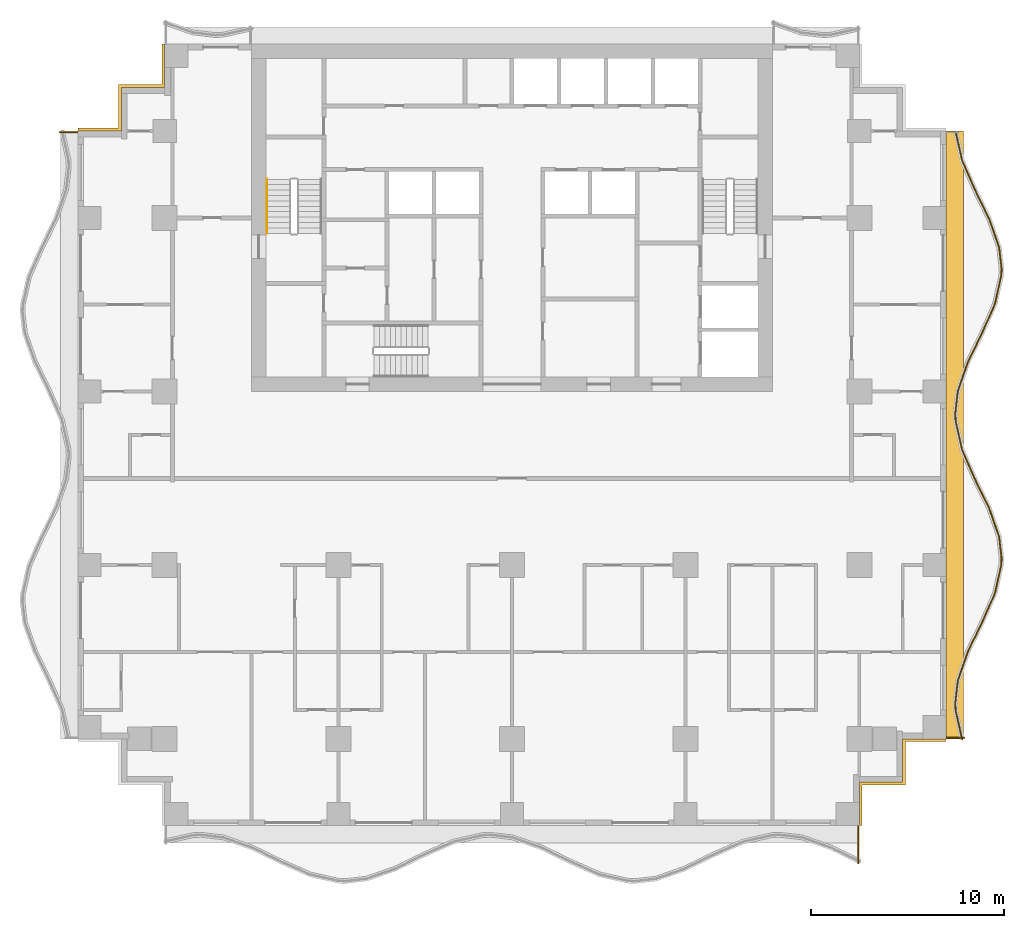
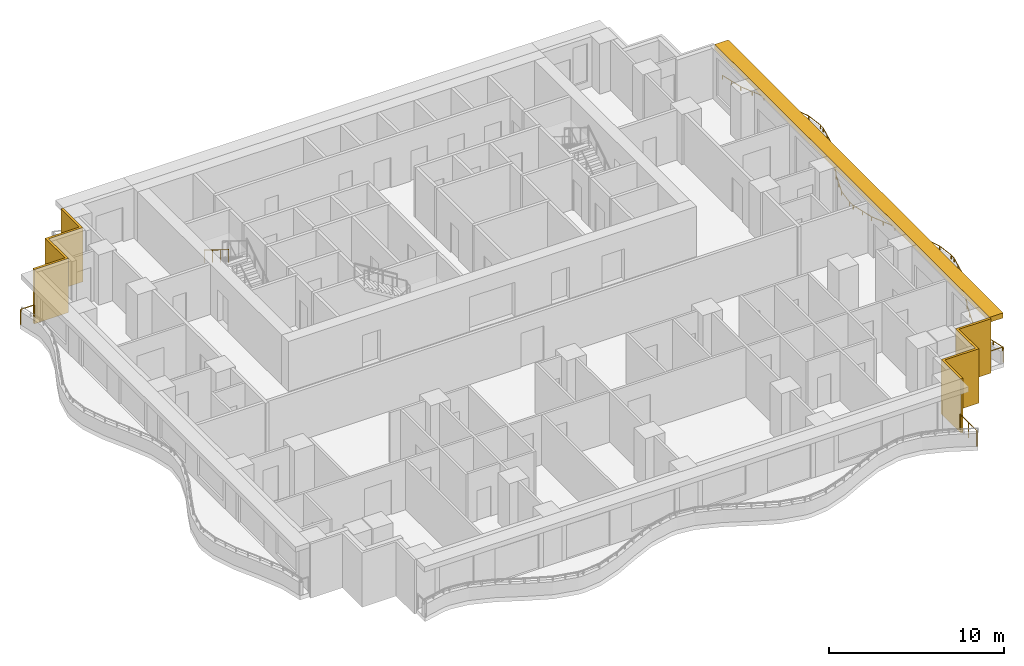
# One storey, part 9 of 10: 5 railings, 3 shading devices.
"""IFC4 building model written with IfcOpenShell, lengths in metres."""

from ifc_helpers import new_model, si_unit, direction, frame, origin, origin_2d, place, context, subcontext, project, spatial, polyline, rectangle, circle, outline, extrude, material, layer, layer_set, type_object, element, save


model = new_model("IFC4")

# Units and contexts
model_context = context("Model", 3, precision=1e-05, world=origin(), true_north=direction((0.0, 1.0)))
body_context = subcontext(model_context, "Body", "Model", "MODEL_VIEW")
ifc_project = project(units=[si_unit("LENGTHUNIT", "METRE"), si_unit("AREAUNIT", "SQUARE_METRE"), si_unit("VOLUMEUNIT", "CUBIC_METRE"), si_unit("PLANEANGLEUNIT", "RADIAN"), si_unit("MASSUNIT", "GRAM", prefix="KILO")], contexts=[model_context])

# Site, building, storey
site_placement = place(None, origin())
site = spatial("IfcSite", under=ifc_project, at=site_placement, CompositionType="ELEMENT")
building_placement = place(site_placement, origin())
building = spatial("IfcBuilding", under=site, at=building_placement, Name="Orbiselva Terraces", CompositionType="ELEMENT")
storey_placement = place(building_placement, frame((0.0, 0.0, 132.6)))
storey = spatial("IfcBuildingStorey", under=building, at=storey_placement, Name="L33", CompositionType="ELEMENT", Elevation=132.6)

# Railings
ifc_material_1 = material(Name="Stainless steel", Category="steel")
railing_type_1 = type_object("IfcRailingType", Name="CORE-HANDRAIL-900", PredefinedType="HANDRAIL", material=ifc_material_1)
railing_1_placement = place(storey_placement, frame((-12.7, 15.5, 2.072727)))
element("IfcRailing", 1, at=railing_1_placement, inside=storey, type_object=railing_type_1, Name="L33 S1 stair handrail 2", PredefinedType="HANDRAIL", context=body_context, shape_type="SweptSolid", body=[
    extrude(circle(Radius=0.024, at=origin_2d()), frame((0.0, 0.0, 0.876), z_axis=(0.0, -0.851088519012, 0.52502222125), x_axis=(1.0, 0.0, 0.0)), (0.0, 0.0, 1.0), 3.289905),
    extrude(circle(Radius=0.021, at=origin_2d()), origin(), (0.0, 0.0, 1.0), 0.852),
    extrude(circle(Radius=0.021, at=origin_2d()), frame((0.0, -0.933333, 0.575758)), (0.0, 0.0, 1.0), 0.852),
    extrude(circle(Radius=0.021, at=origin_2d()), frame((0.0, -1.866667, 1.151515)), (0.0, 0.0, 1.0), 0.852),
    extrude(circle(Radius=0.021, at=origin_2d()), frame((0.0, -2.8, 1.727273)), (0.0, 0.0, 1.0), 0.852),
])
ifc_material_2 = material(Name="Bonded two-ply safety glass balustrade, stainless steel posts", Category="steel")
railing_type_2 = type_object("IfcRailingType", Name="ENV-BALUSTRADE-1200", PredefinedType="BALUSTRADE", material=ifc_material_2)
railing_2_placement = place(storey_placement, frame((23.329507, -13.527377, 0.9)))
element("IfcRailing", 2, at=railing_2_placement, inside=storey, type_object=railing_type_2, Name="Balcony balustrade L33 E", PredefinedType="BALUSTRADE", context=body_context, shape_type="SweptSolid", body=[
    extrude(outline(polyline([(0.028868, 0.0), (0.014434, 0.025), (-0.014434, 0.025), (-0.028868, 0.0), (-0.014434, -0.025), (0.014434, -0.025), (0.028868, 0.0)])), frame((0.0, 0.0, 0.275), z_axis=(-0.219015484484, 0.97572138316, 0.0), x_axis=(-0.97572138316, -0.219015484484, 0.0)), (0.0, 0.0, 1.0), 1.548694),
    extrude(outline(polyline([(0.028868, 0.0), (0.014434, 0.025), (-0.014434, 0.025), (-0.028868, 0.0), (-0.014434, -0.025), (0.014434, -0.025), (0.028868, 0.0)])), frame((-0.339188, 1.511094, 0.275), z_axis=(-0.03936915532, 0.999224734286, 0.0), x_axis=(-0.999224734286, -0.03936915532, 0.0)), (0.0, 0.0, 1.0), 0.396376),
    extrude(outline(polyline([(0.028868, 0.0), (0.014434, 0.025), (-0.014434, 0.025), (-0.028868, 0.0), (-0.014434, -0.025), (0.014434, -0.025), (0.028868, 0.0)])), frame((-0.354793, 1.907163, 0.275), z_axis=(0.115482182324, 0.993309551734, 0.0), x_axis=(-0.993309551734, 0.115482182324, 0.0)), (0.0, 0.0, 1.0), 1.156135),
    extrude(outline(polyline([(0.028868, 0.0), (0.014434, 0.025), (-0.014434, 0.025), (-0.028868, 0.0), (-0.014434, -0.025), (0.014434, -0.025), (0.028868, 0.0)])), frame((-0.22128, 3.055563, 0.275), z_axis=(0.330024597479, 0.943972332783, 0.0), x_axis=(-0.943972332783, 0.330024597479, 0.0)), (0.0, 0.0, 1.0), 1.610253),
    extrude(outline(polyline([(0.028868, 0.0), (0.014434, 0.025), (-0.014434, 0.025), (-0.028868, 0.0), (-0.014434, -0.025), (0.014434, -0.025), (0.028868, 0.0)])), frame((0.310143, 4.575597, 0.275), z_axis=(0.438812048596, 0.898578870221, 0.0), x_axis=(-0.898578870221, 0.438812048596, 0.0)), (0.0, 0.0, 1.0), 1.674225),
    extrude(outline(polyline([(0.028868, 0.0), (0.014434, 0.025), (-0.014434, 0.025), (-0.028868, 0.0), (-0.014434, -0.025), (0.014434, -0.025), (0.028868, 0.0)])), frame((1.044813, 6.08002, 0.275), z_axis=(0.403151245402, 0.915133363686, 0.0), x_axis=(-0.915133363686, 0.403151245402, 0.0)), (0.0, 0.0, 1.0), 1.624475),
    extrude(outline(polyline([(0.028868, 0.0), (0.014434, 0.025), (-0.014434, 0.025), (-0.028868, 0.0), (-0.014434, -0.025), (0.014434, -0.025), (0.028868, 0.0)])), frame((1.699722, 7.566631, 0.275), z_axis=(0.219015740235, 0.975721325753, 0.0), x_axis=(-0.975721325753, 0.219015740235, 0.0)), (0.0, 0.0, 1.0), 1.513782),
    extrude(outline(polyline([(0.028868, 0.0), (0.014434, 0.025), (-0.014434, 0.025), (-0.028868, 0.0), (-0.014434, -0.025), (0.014434, -0.025), (0.028868, 0.0)])), frame((2.031264, 9.04366, 0.275), z_axis=(0.039364150694, 0.999224931454, 0.0), x_axis=(-0.999224931454, 0.039364150694, 0.0)), (0.0, 0.0, 1.0), 0.354206),
    extrude(outline(polyline([(0.028868, 0.0), (0.014434, 0.025), (-0.014434, 0.025), (-0.028868, 0.0), (-0.014434, -0.025), (0.014434, -0.025), (0.028868, 0.0)])), frame((2.045207, 9.397591, 0.275), z_axis=(-0.115481264762, 0.993309658409, 0.0), x_axis=(-0.993309658409, -0.115481264762, 0.0)), (0.0, 0.0, 1.0), 1.10902),
    extrude(outline(polyline([(0.028868, 0.0), (0.014434, 0.025), (-0.014434, 0.025), (-0.028868, 0.0), (-0.014434, -0.025), (0.014434, -0.025), (0.028868, 0.0)])), frame((1.917136, 10.499191, 0.275), z_axis=(-0.330024754707, 0.943972277814, 0.0), x_axis=(-0.943972277814, -0.330024754707, 0.0)), (0.0, 0.0, 1.0), 1.567807),
    extrude(outline(polyline([(0.028868, 0.0), (0.014434, 0.025), (-0.014434, 0.025), (-0.028868, 0.0), (-0.014434, -0.025), (0.014434, -0.025), (0.028868, 0.0)])), frame((1.399721, 11.979157, 0.275), z_axis=(-0.438811978768, 0.89857890432, 0.0), x_axis=(-0.89857890432, -0.438811978768, 0.0)), (0.0, 0.0, 1.0), 1.66438),
    extrude(outline(polyline([(0.028868, 0.0), (0.014434, 0.025), (-0.014434, 0.025), (-0.028868, 0.0), (-0.014434, -0.025), (0.014434, -0.025), (0.028868, 0.0)])), frame((0.669371, 13.474734, 0.275), z_axis=(-0.403150874148, 0.915133527237, 0.0), x_axis=(-0.915133527237, -0.403150874148, 0.0)), (0.0, 0.0, 1.0), 1.653736),
    extrude(outline(polyline([(0.028868, 0.0), (0.014434, 0.025), (-0.014434, 0.025), (-0.028868, 0.0), (-0.014434, -0.025), (0.014434, -0.025), (0.028868, 0.0)])), frame((0.002666, 14.988123, 0.275), z_axis=(-0.219015500924, 0.97572137947, 0.0), x_axis=(-0.97572137947, -0.219015500924, 0.0)), (0.0, 0.0, 1.0), 1.560867),
    extrude(outline(polyline([(0.028868, 0.0), (0.014434, 0.025), (-0.014434, 0.025), (-0.028868, 0.0), (-0.014434, -0.025), (0.014434, -0.025), (0.028868, 0.0)])), frame((-0.339188, 16.511094, 0.275), z_axis=(-0.03936915532, 0.999224734286, 0.0), x_axis=(-0.999224734286, -0.03936915532, 0.0)), (0.0, 0.0, 1.0), 0.396376),
    extrude(outline(polyline([(0.028868, 0.0), (0.014434, 0.025), (-0.014434, 0.025), (-0.028868, 0.0), (-0.014434, -0.025), (0.014434, -0.025), (0.028868, 0.0)])), frame((-0.354793, 16.907163, 0.275), z_axis=(0.115482182324, 0.993309551734, 0.0), x_axis=(-0.993309551734, 0.115482182324, 0.0)), (0.0, 0.0, 1.0), 1.156135),
    extrude(outline(polyline([(0.028868, 0.0), (0.014434, 0.025), (-0.014434, 0.025), (-0.028868, 0.0), (-0.014434, -0.025), (0.014434, -0.025), (0.028868, 0.0)])), frame((-0.22128, 18.055563, 0.275), z_axis=(0.330024597479, 0.943972332783, 0.0), x_axis=(-0.943972332783, 0.330024597479, 0.0)), (0.0, 0.0, 1.0), 1.610253),
    extrude(outline(polyline([(0.028868, 0.0), (0.014434, 0.025), (-0.014434, 0.025), (-0.028868, 0.0), (-0.014434, -0.025), (0.014434, -0.025), (0.028868, 0.0)])), frame((0.310143, 19.575597, 0.275), z_axis=(0.438812048596, 0.898578870221, 0.0), x_axis=(-0.898578870221, 0.438812048596, 0.0)), (0.0, 0.0, 1.0), 1.674225),
    extrude(outline(polyline([(0.028868, 0.0), (0.014434, 0.025), (-0.014434, 0.025), (-0.028868, 0.0), (-0.014434, -0.025), (0.014434, -0.025), (0.028868, 0.0)])), frame((1.044813, 21.08002, 0.275), z_axis=(0.403151245402, 0.915133363686, 0.0), x_axis=(-0.915133363686, 0.403151245402, 0.0)), (0.0, 0.0, 1.0), 1.624475),
    extrude(outline(polyline([(0.028868, 0.0), (0.014434, 0.025), (-0.014434, 0.025), (-0.028868, 0.0), (-0.014434, -0.025), (0.014434, -0.025), (0.028868, 0.0)])), frame((1.699722, 22.566631, 0.275), z_axis=(0.219015740235, 0.975721325753, 0.0), x_axis=(-0.975721325753, 0.219015740235, 0.0)), (0.0, 0.0, 1.0), 1.513782),
    extrude(outline(polyline([(0.028868, 0.0), (0.014434, 0.025), (-0.014434, 0.025), (-0.028868, 0.0), (-0.014434, -0.025), (0.014434, -0.025), (0.028868, 0.0)])), frame((2.031264, 24.04366, 0.275), z_axis=(0.039364150694, 0.999224931454, 0.0), x_axis=(-0.999224931454, 0.039364150694, 0.0)), (0.0, 0.0, 1.0), 0.354206),
    extrude(outline(polyline([(0.028868, 0.0), (0.014434, 0.025), (-0.014434, 0.025), (-0.028868, 0.0), (-0.014434, -0.025), (0.014434, -0.025), (0.028868, 0.0)])), frame((2.045207, 24.397591, 0.275), z_axis=(-0.115481264762, 0.993309658409, 0.0), x_axis=(-0.993309658409, -0.115481264762, 0.0)), (0.0, 0.0, 1.0), 1.10902),
    extrude(outline(polyline([(0.028868, 0.0), (0.014434, 0.025), (-0.014434, 0.025), (-0.028868, 0.0), (-0.014434, -0.025), (0.014434, -0.025), (0.028868, 0.0)])), frame((1.917136, 25.499191, 0.275), z_axis=(-0.330024754707, 0.943972277814, 0.0), x_axis=(-0.943972277814, -0.330024754707, 0.0)), (0.0, 0.0, 1.0), 1.567807),
    extrude(outline(polyline([(0.028868, 0.0), (0.014434, 0.025), (-0.014434, 0.025), (-0.028868, 0.0), (-0.014434, -0.025), (0.014434, -0.025), (0.028868, 0.0)])), frame((1.399721, 26.979157, 0.275), z_axis=(-0.438811978768, 0.89857890432, 0.0), x_axis=(-0.89857890432, -0.438811978768, 0.0)), (0.0, 0.0, 1.0), 1.66438),
    extrude(outline(polyline([(0.028868, 0.0), (0.014434, 0.025), (-0.014434, 0.025), (-0.028868, 0.0), (-0.014434, -0.025), (0.014434, -0.025), (0.028868, 0.0)])), frame((0.669371, 28.474734, 0.275), z_axis=(-0.403150874148, 0.915133527237, 0.0), x_axis=(-0.915133527237, -0.403150874148, 0.0)), (0.0, 0.0, 1.0), 1.653736),
    extrude(outline(polyline([(0.028868, 0.0), (0.014434, 0.025), (-0.014434, 0.025), (-0.028868, 0.0), (-0.014434, -0.025), (0.014434, -0.025), (0.028868, 0.0)])), frame((0.002666, 29.988123, 0.275), z_axis=(-0.219015634252, 0.975721349543, 0.0), x_axis=(-0.975721349543, -0.219015634252, 0.0)), (0.0, 0.0, 1.0), 1.549497),
    extrude(rectangle(XDim=0.05, YDim=0.05, at=origin_2d()), origin(), (0.0, 0.0, 1.0), 0.25),
    extrude(rectangle(XDim=0.05, YDim=0.05, at=origin_2d()), frame((-0.169594, 0.755547, 0.0)), (0.0, 0.0, 1.0), 0.25),
    extrude(rectangle(XDim=0.05, YDim=0.05, at=origin_2d()), frame((-0.339188, 1.511094, 0.0)), (0.0, 0.0, 1.0), 0.25),
    extrude(rectangle(XDim=0.05, YDim=0.05, at=origin_2d()), frame((-0.354793, 1.907163, 0.0)), (0.0, 0.0, 1.0), 0.25),
    extrude(rectangle(XDim=0.05, YDim=0.05, at=origin_2d()), frame((-0.22128, 3.055563, 0.0)), (0.0, 0.0, 1.0), 0.25),
    extrude(rectangle(XDim=0.05, YDim=0.05, at=origin_2d()), frame((0.044431, 3.81558, 0.0)), (0.0, 0.0, 1.0), 0.25),
    extrude(rectangle(XDim=0.05, YDim=0.05, at=origin_2d()), frame((0.310143, 4.575597, 0.0)), (0.0, 0.0, 1.0), 0.25),
    extrude(rectangle(XDim=0.05, YDim=0.05, at=origin_2d()), frame((0.677478, 5.327808, 0.0)), (0.0, 0.0, 1.0), 0.25),
    extrude(rectangle(XDim=0.05, YDim=0.05, at=origin_2d()), frame((1.044813, 6.08002, 0.0)), (0.0, 0.0, 1.0), 0.25),
    extrude(rectangle(XDim=0.05, YDim=0.05, at=origin_2d()), frame((1.372268, 6.823325, 0.0)), (0.0, 0.0, 1.0), 0.25),
    extrude(rectangle(XDim=0.05, YDim=0.05, at=origin_2d()), frame((1.699722, 7.566631, 0.0)), (0.0, 0.0, 1.0), 0.25),
    extrude(rectangle(XDim=0.05, YDim=0.05, at=origin_2d()), frame((1.865493, 8.305145, 0.0)), (0.0, 0.0, 1.0), 0.25),
    extrude(rectangle(XDim=0.05, YDim=0.05, at=origin_2d()), frame((2.031264, 9.04366, 0.0)), (0.0, 0.0, 1.0), 0.25),
    extrude(rectangle(XDim=0.05, YDim=0.05, at=origin_2d()), frame((2.045207, 9.397591, 0.0)), (0.0, 0.0, 1.0), 0.25),
    extrude(rectangle(XDim=0.05, YDim=0.05, at=origin_2d()), frame((1.917136, 10.499191, 0.0)), (0.0, 0.0, 1.0), 0.25),
    extrude(rectangle(XDim=0.05, YDim=0.05, at=origin_2d()), frame((1.658428, 11.239174, 0.0)), (0.0, 0.0, 1.0), 0.25),
    extrude(rectangle(XDim=0.05, YDim=0.05, at=origin_2d()), frame((1.399721, 11.979157, 0.0)), (0.0, 0.0, 1.0), 0.25),
    extrude(rectangle(XDim=0.05, YDim=0.05, at=origin_2d()), frame((1.034546, 12.726946, 0.0)), (0.0, 0.0, 1.0), 0.25),
    extrude(rectangle(XDim=0.05, YDim=0.05, at=origin_2d()), frame((0.669371, 13.474734, 0.0)), (0.0, 0.0, 1.0), 0.25),
    extrude(rectangle(XDim=0.05, YDim=0.05, at=origin_2d()), frame((0.336019, 14.231428, 0.0)), (0.0, 0.0, 1.0), 0.25),
    extrude(rectangle(XDim=0.05, YDim=0.05, at=origin_2d()), frame((0.002666, 14.988123, 0.0)), (0.0, 0.0, 1.0), 0.25),
    extrude(rectangle(XDim=0.05, YDim=0.05, at=origin_2d()), frame((-0.168261, 15.749608, 0.0)), (0.0, 0.0, 1.0), 0.25),
    extrude(rectangle(XDim=0.05, YDim=0.05, at=origin_2d()), frame((-0.339188, 16.511094, 0.0)), (0.0, 0.0, 1.0), 0.25),
    extrude(rectangle(XDim=0.05, YDim=0.05, at=origin_2d()), frame((-0.354793, 16.907163, 0.0)), (0.0, 0.0, 1.0), 0.25),
    extrude(rectangle(XDim=0.05, YDim=0.05, at=origin_2d()), frame((-0.22128, 18.055563, 0.0)), (0.0, 0.0, 1.0), 0.25),
    extrude(rectangle(XDim=0.05, YDim=0.05, at=origin_2d()), frame((0.044431, 18.81558, 0.0)), (0.0, 0.0, 1.0), 0.25),
    extrude(rectangle(XDim=0.05, YDim=0.05, at=origin_2d()), frame((0.310143, 19.575597, 0.0)), (0.0, 0.0, 1.0), 0.25),
    extrude(rectangle(XDim=0.05, YDim=0.05, at=origin_2d()), frame((0.677478, 20.327808, 0.0)), (0.0, 0.0, 1.0), 0.25),
    extrude(rectangle(XDim=0.05, YDim=0.05, at=origin_2d()), frame((1.044813, 21.08002, 0.0)), (0.0, 0.0, 1.0), 0.25),
    extrude(rectangle(XDim=0.05, YDim=0.05, at=origin_2d()), frame((1.372268, 21.823326, 0.0)), (0.0, 0.0, 1.0), 0.25),
    extrude(rectangle(XDim=0.05, YDim=0.05, at=origin_2d()), frame((1.699722, 22.566631, 0.0)), (0.0, 0.0, 1.0), 0.25),
    extrude(rectangle(XDim=0.05, YDim=0.05, at=origin_2d()), frame((1.865493, 23.305146, 0.0)), (0.0, 0.0, 1.0), 0.25),
    extrude(rectangle(XDim=0.05, YDim=0.05, at=origin_2d()), frame((2.031264, 24.04366, 0.0)), (0.0, 0.0, 1.0), 0.25),
    extrude(rectangle(XDim=0.05, YDim=0.05, at=origin_2d()), frame((2.045207, 24.397591, 0.0)), (0.0, 0.0, 1.0), 0.25),
    extrude(rectangle(XDim=0.05, YDim=0.05, at=origin_2d()), frame((1.917136, 25.499191, 0.0)), (0.0, 0.0, 1.0), 0.25),
    extrude(rectangle(XDim=0.05, YDim=0.05, at=origin_2d()), frame((1.658428, 26.239174, 0.0)), (0.0, 0.0, 1.0), 0.25),
    extrude(rectangle(XDim=0.05, YDim=0.05, at=origin_2d()), frame((1.399721, 26.979157, 0.0)), (0.0, 0.0, 1.0), 0.25),
    extrude(rectangle(XDim=0.05, YDim=0.05, at=origin_2d()), frame((1.034546, 27.726946, 0.0)), (0.0, 0.0, 1.0), 0.25),
    extrude(rectangle(XDim=0.05, YDim=0.05, at=origin_2d()), frame((0.669371, 28.474734, 0.0)), (0.0, 0.0, 1.0), 0.25),
    extrude(rectangle(XDim=0.05, YDim=0.05, at=origin_2d()), frame((0.336019, 29.231428, 0.0)), (0.0, 0.0, 1.0), 0.25),
    extrude(rectangle(XDim=0.05, YDim=0.05, at=origin_2d()), frame((0.002666, 29.988123, 0.0)), (0.0, 0.0, 1.0), 0.25),
    extrude(rectangle(XDim=0.05, YDim=0.05, at=origin_2d()), frame((-0.167016, 30.744062, 0.0)), (0.0, 0.0, 1.0), 0.25),
    extrude(rectangle(XDim=0.05, YDim=0.05, at=origin_2d()), frame((-0.336698, 31.5, 0.0)), (0.0, 0.0, 1.0), 0.25),
])
ifc_material_3 = material(Name="Stainless steel rail and posts", Category="steel")
railing_type_3 = type_object("IfcRailingType", Name="ENV-GUARD-1105", PredefinedType="BALUSTRADE", material=ifc_material_3)
railing_3_placement = place(storey_placement, frame((17.94, -19.957877, 0.0)))
element("IfcRailing", 3, at=railing_3_placement, inside=storey, type_object=railing_type_3, Name="Balcony end guard L33 S", PredefinedType="BALUSTRADE", context=body_context, shape_type="SweptSolid", body=[
    extrude(outline(polyline([(0.028868, 0.0), (0.014434, 0.025), (-0.014434, 0.025), (-0.028868, 0.0), (-0.014434, -0.025), (0.014434, -0.025), (0.028868, 0.0)])), frame((0.0, 0.0, 1.08), z_axis=(0.0, 1.0, 0.0), x_axis=(-1.0, 0.0, 0.0)), (0.0, 0.0, 1.0), 1.932877),
    extrude(rectangle(XDim=0.05, YDim=0.05, at=origin_2d()), origin(), (0.0, 0.0, 1.0), 1.055),
    extrude(rectangle(XDim=0.05, YDim=0.05, at=origin_2d()), frame((0.0, 0.966439, 0.0)), (0.0, 0.0, 1.0), 1.055),
    extrude(rectangle(XDim=0.05, YDim=0.05, at=origin_2d()), frame((0.0, 1.932877, 0.0)), (0.0, 0.0, 1.0), 1.055),
])
railing_4_placement = place(storey_placement, frame((23.430416, -13.44, 0.0)))
element("IfcRailing", 4, at=railing_4_placement, inside=storey, type_object=railing_type_3, Name="Balcony end guard L33 E", PredefinedType="BALUSTRADE", context=body_context, shape_type="SweptSolid", body=[
    extrude(outline(polyline([(0.028868, 0.0), (0.014434, 0.025), (-0.014434, 0.025), (-0.028868, 0.0), (-0.014434, -0.025), (0.014434, -0.025), (0.028868, 0.0)])), frame((0.0, 0.0, 1.08), z_axis=(-1.0, 0.0, 0.0), x_axis=(0.0, -1.0, 0.0)), (0.0, 0.0, 1.0), 0.905416),
    extrude(rectangle(XDim=0.05, YDim=0.05, at=origin_2d()), origin(), (0.0, 0.0, 1.0), 1.055),
    extrude(rectangle(XDim=0.05, YDim=0.05, at=origin_2d()), frame((-0.905416, 0.0, 0.0)), (0.0, 0.0, 1.0), 1.055),
])
railing_5_placement = place(storey_placement, frame((-23.430416, 17.94, 0.0)))
element("IfcRailing", 5, at=railing_5_placement, inside=storey, type_object=railing_type_3, Name="Balcony end guard L33 W", PredefinedType="BALUSTRADE", context=body_context, shape_type="SweptSolid", body=[
    extrude(outline(polyline([(0.028868, 0.0), (0.014434, 0.025), (-0.014434, 0.025), (-0.028868, 0.0), (-0.014434, -0.025), (0.014434, -0.025), (0.028868, 0.0)])), frame((0.0, 0.0, 1.08), z_axis=(1.0, 0.0, 0.0), x_axis=(0.0, 1.0, 0.0)), (0.0, 0.0, 1.0), 0.905416),
    extrude(rectangle(XDim=0.05, YDim=0.05, at=origin_2d()), origin(), (0.0, 0.0, 1.0), 1.055),
    extrude(rectangle(XDim=0.05, YDim=0.05, at=origin_2d()), frame((0.905416, 0.0, 0.0)), (0.0, 0.0, 1.0), 1.055),
])

# Shading devices
ifc_material_4 = material(Name="Terracotta louvre screen", Category="masonry")
ifc_layer_1 = layer(ifc_material_4, 0.15)
ifc_layer_set_1 = layer_set([ifc_layer_1], Name="Terracotta louvre screen")
shading_device_type_1 = type_object("IfcShadingDeviceType", Name="ENV-SCREEN-150", PredefinedType="USERDEFINED", material=ifc_layer_set_1)
shading_device_1_placement = place(storey_placement, frame((0.0, 0.0, -0.3)))
element("IfcShadingDevice", 6, at=shading_device_1_placement, inside=storey, type_object=shading_device_type_1, Name="Louvre screen L33 NW", ObjectType="SCREEN", PredefinedType="USERDEFINED", context=body_context, shape_type="SweptSolid", body=[
    extrude(outline(polyline([(-18.15, 22.5), (-18.15, 20.4), (-20.4, 20.4), (-20.4, 18.15), (-22.5, 18.15), (-22.5, 18.0), (-20.25, 18.0), (-20.25, 20.25), (-18.0, 20.25), (-18.0, 22.5), (-18.15, 22.5)])), origin(), (0.0, 0.0, 1.0), 3.8),
])
shading_device_2_placement = place(storey_placement, frame((0.0, 0.0, -0.3)))
element("IfcShadingDevice", 7, at=shading_device_2_placement, inside=storey, type_object=shading_device_type_1, Name="Louvre screen L33 SE", ObjectType="SCREEN", PredefinedType="USERDEFINED", context=body_context, shape_type="SweptSolid", body=[
    extrude(outline(polyline([(18.15, -18.0), (18.15, -15.9), (20.4, -15.9), (20.4, -13.65), (22.5, -13.65), (22.5, -13.5), (20.25, -13.5), (20.25, -15.75), (18.0, -15.75), (18.0, -18.0), (18.15, -18.0)])), origin(), (0.0, 0.0, 1.0), 3.8),
])
ifc_material_5 = material(Name="Terracotta baguette sunshade", Category="masonry")
ifc_layer_2 = layer(ifc_material_5, 0.35)
ifc_layer_set_2 = layer_set([ifc_layer_2], Name="Terracotta baguette sunshade")
shading_device_type_2 = type_object("IfcShadingDeviceType", Name="ENV-SUNSHADE-900x350", PredefinedType="USERDEFINED", material=ifc_layer_set_2)
shading_device_3_placement = place(storey_placement, frame((0.0, 0.0, 3.15)))
element("IfcShadingDevice", 8, at=shading_device_3_placement, inside=storey, type_object=shading_device_type_2, Name="Sunshade band L33 E", ObjectType="SUNSHADE", PredefinedType="USERDEFINED", context=body_context, shape_type="SweptSolid", body=[
    extrude(outline(polyline([(23.4, -13.5), (23.4, 18.0), (22.5, 18.0), (22.5, -13.5), (23.4, -13.5)])), origin(), (0.0, 0.0, 1.0), 0.35),
])

save(model, "model.ifc")
